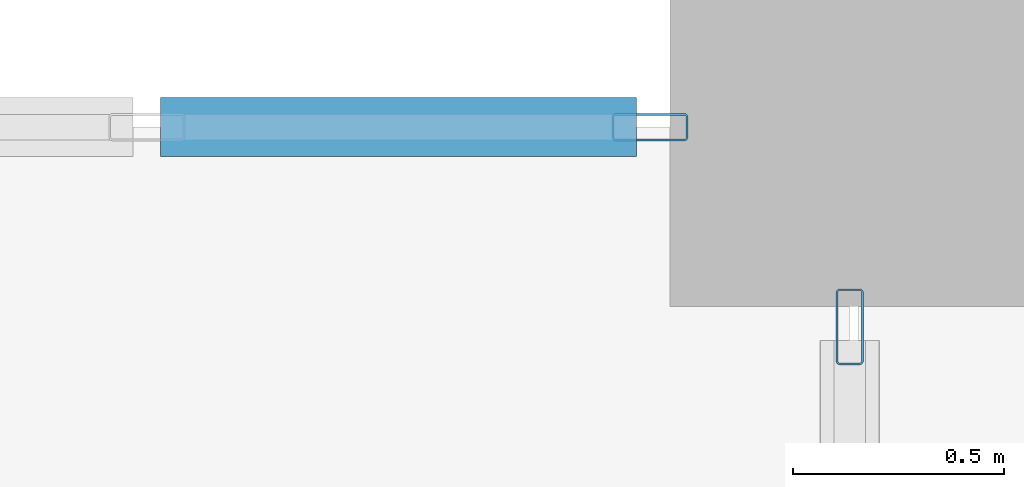
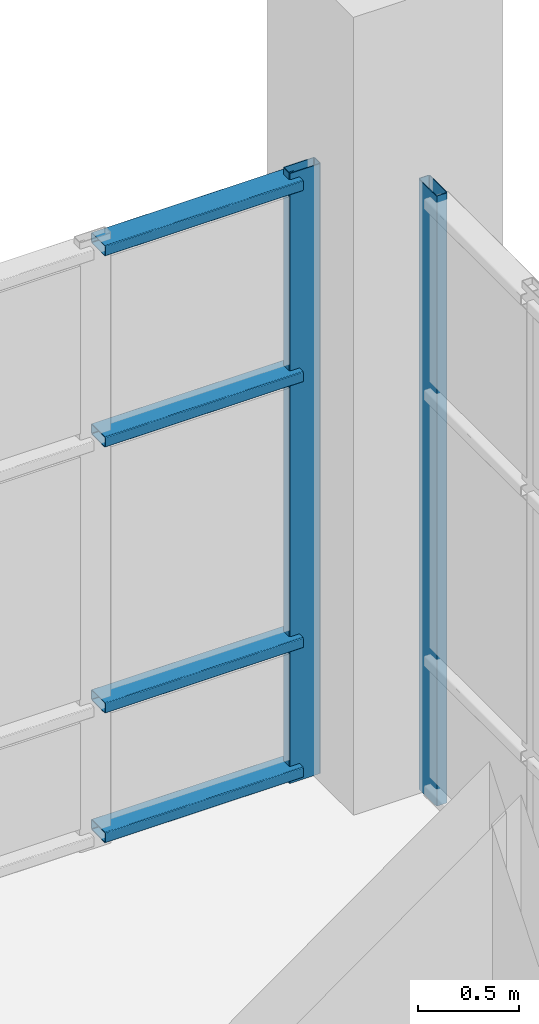
# One storey, part 43 of 97: 6 members, 2 elements without a shape of their own.
"""IFC4 building model written with IfcOpenShell, lengths in metres."""

from ifc_helpers import new_model, si_unit, direction, frame, origin, origin_2d, place, context, subcontext, project, spatial, hollow_rectangle, extrude, material, layer, layer_set, material_profile, profile_set, type_object, element, aggregate, save


model = new_model("IFC4")

# Units and contexts
model_context = context("Model", 3, precision=1e-05, world=origin(), true_north=direction((0.0, 1.0)))
body_context = subcontext(model_context, "Body", "Model", "MODEL_VIEW")
ifc_project = project(units=[si_unit("LENGTHUNIT", "METRE"), si_unit("AREAUNIT", "SQUARE_METRE"), si_unit("VOLUMEUNIT", "CUBIC_METRE"), si_unit("PLANEANGLEUNIT", "RADIAN"), si_unit("MASSUNIT", "GRAM", prefix="KILO")], contexts=[model_context])

# Site, building, storey
site_placement = place(None, origin())
site = spatial("IfcSite", under=ifc_project, at=site_placement, CompositionType="ELEMENT")
building_placement = place(site_placement, origin())
building = spatial("IfcBuilding", under=site, at=building_placement, Name="Kisaragi Civic Commons", CompositionType="ELEMENT")
storey_placement = place(building_placement, origin())
storey = spatial("IfcBuildingStorey", under=building, at=storey_placement, Name="L00", CompositionType="ELEMENT", Elevation=0.0)

# Curtain wall, member
ifc_material = material(Name="Thermally broken anodized aluminium and low-E double glazing", Category="aluminium")
ifc_layer = layer(ifc_material, 0.179931640625, Name="Thermally broken anodized aluminium and low-E double glazing", Category="aluminium")
ifc_layer_set = layer_set([ifc_layer], Name="Thermally broken anodized aluminium and low-E double glazing")
curtain_wall_type = type_object("IfcCurtainWallType", Name="CW-01", PredefinedType="NOTDEFINED", material=ifc_layer_set)
curtain_wall_1_placement = place(storey_placement, origin())
curtain_wall_1 = element("IfcCurtainWall", 1, at=curtain_wall_1_placement, inside=storey, type_object=curtain_wall_type, Name="L00 curtain wall CW-01 CW-V4-L00-050", PredefinedType="NOTDEFINED")
ifc_material_profile_1 = material_profile(ifc_material, hollow_rectangle(XDim=0.06494140625, YDim=0.179931640625, WallThickness=0.00439453125, InnerFilletRadius=0.00439453125, OuterFilletRadius=0.009033203125, at=origin_2d()), Name="CWM-65x180x4.5", Category="aluminium")
ifc_profile_set_1 = profile_set([ifc_material_profile_1], Name="Thermally broken anodized aluminium and low-E double glazing")
member_type_1 = type_object("IfcMemberType", Name="CWM-02", PredefinedType="MULLION", material=ifc_profile_set_1)
member_1_placement = place(storey_placement, frame((159.12744140625, 118.800048828125, 0.0), z_axis=(0.0, 0.0, 1.0), x_axis=(0.0, 1.0, 0.0)))
member_1 = element("IfcMember", 2, at=member_1_placement, type_object=member_type_1, Name="CW-01 mullion 6", PredefinedType="MULLION", context=body_context, shape_type="SweptSolid", body=[
    extrude(hollow_rectangle(XDim=0.06494140625, YDim=0.179931640625, WallThickness=0.00439453125, InnerFilletRadius=0.00439453125, OuterFilletRadius=0.009033203125, at=origin_2d()), origin(), (0.0, 0.0, 1.0), 3.669921875),
])

curtain_wall_2_placement = place(storey_placement, origin())
curtain_wall_2 = element("IfcCurtainWall", 3, at=curtain_wall_2_placement, inside=storey, type_object=curtain_wall_type, Name="L00 curtain wall CW-01 CW-V4-L00-051", PredefinedType="NOTDEFINED")
member_2_placement = place(storey_placement, frame((159.60009765625, 118.327392578125, 0.0), z_axis=(0.0, 0.0, 1.0), x_axis=(1.0, 0.0, 0.0)))
member_2 = element("IfcMember", 4, at=member_2_placement, type_object=member_type_1, Name="CW-01 mullion 1", PredefinedType="MULLION", context=body_context, shape_type="SweptSolid", body=[
    extrude(hollow_rectangle(XDim=0.06494140625, YDim=0.179931640625, WallThickness=0.00439453125, InnerFilletRadius=0.00439453125, OuterFilletRadius=0.009033203125, at=origin_2d()), origin(), (0.0, 0.0, 1.0), 3.669921875),
])
aggregate(curtain_wall_2, [member_2])

# Member
ifc_material_profile_2 = material_profile(ifc_material, hollow_rectangle(XDim=0.139892578125, YDim=0.06494140625, WallThickness=0.00439453125, InnerFilletRadius=0.00439453125, OuterFilletRadius=0.009033203125, at=origin_2d()), Name="CWT-65x140x4.5", Category="aluminium")
ifc_profile_set_2 = profile_set([ifc_material_profile_2], Name="Thermally broken anodized aluminium and low-E double glazing")
member_type_2 = type_object("IfcMemberType", Name="CWT-02", PredefinedType="USERDEFINED", material=ifc_profile_set_2)
member_3_placement = place(storey_placement, frame((157.968505859375, 118.800048828125, 0.070068359375), z_axis=(1.0, 0.0, 0.0), x_axis=(0.0, 1.0, 0.0)))
member_3 = element("IfcMember", 5, at=member_3_placement, type_object=member_type_2, Name="CW-01 transom 5.1", ObjectType="TRANSOM", PredefinedType="USERDEFINED", context=body_context, shape_type="SweptSolid", body=[
    extrude(hollow_rectangle(XDim=0.139892578125, YDim=0.06494140625, WallThickness=0.00439453125, InnerFilletRadius=0.00439453125, OuterFilletRadius=0.009033203125, at=origin_2d()), origin(), (0.0, 0.0, 1.0), 1.12646484375),
])

member_4_placement = place(storey_placement, frame((157.968505859375, 118.800048828125, 0.85009765625), z_axis=(1.0, 0.0, 0.0), x_axis=(0.0, 1.0, 0.0)))
member_4 = element("IfcMember", 6, at=member_4_placement, type_object=member_type_2, Name="CW-01 transom 5.2", ObjectType="TRANSOM", PredefinedType="USERDEFINED", context=body_context, shape_type="SweptSolid", body=[
    extrude(hollow_rectangle(XDim=0.139892578125, YDim=0.06494140625, WallThickness=0.00439453125, InnerFilletRadius=0.00439453125, OuterFilletRadius=0.009033203125, at=origin_2d()), origin(), (0.0, 0.0, 1.0), 1.12646484375),
])

member_5_placement = place(storey_placement, frame((157.968505859375, 118.800048828125, 2.449951171875), z_axis=(1.0, 0.0, 0.0), x_axis=(0.0, 1.0, 0.0)))
member_5 = element("IfcMember", 7, at=member_5_placement, type_object=member_type_2, Name="CW-01 transom 5.3", ObjectType="TRANSOM", PredefinedType="USERDEFINED", context=body_context, shape_type="SweptSolid", body=[
    extrude(hollow_rectangle(XDim=0.139892578125, YDim=0.06494140625, WallThickness=0.00439453125, InnerFilletRadius=0.00439453125, OuterFilletRadius=0.009033203125, at=origin_2d()), origin(), (0.0, 0.0, 1.0), 1.12646484375),
])

member_6_placement = place(storey_placement, frame((157.968505859375, 118.800048828125, 3.60009765625), z_axis=(1.0, 0.0, 0.0), x_axis=(0.0, 1.0, 0.0)))
member_6 = element("IfcMember", 8, at=member_6_placement, type_object=member_type_2, Name="CW-01 transom 5.4", ObjectType="TRANSOM", PredefinedType="USERDEFINED", context=body_context, shape_type="SweptSolid", body=[
    extrude(hollow_rectangle(XDim=0.139892578125, YDim=0.06494140625, WallThickness=0.00439453125, InnerFilletRadius=0.00439453125, OuterFilletRadius=0.009033203125, at=origin_2d()), origin(), (0.0, 0.0, 1.0), 1.12646484375),
])

aggregate(curtain_wall_1, [member_1, member_3, member_4, member_5, member_6])

save(model, "model.ifc")
